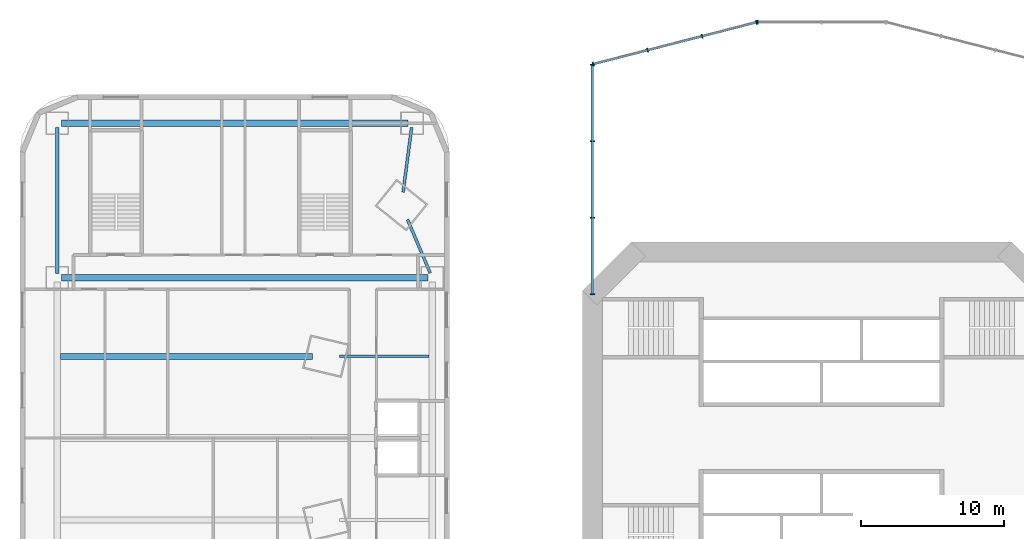
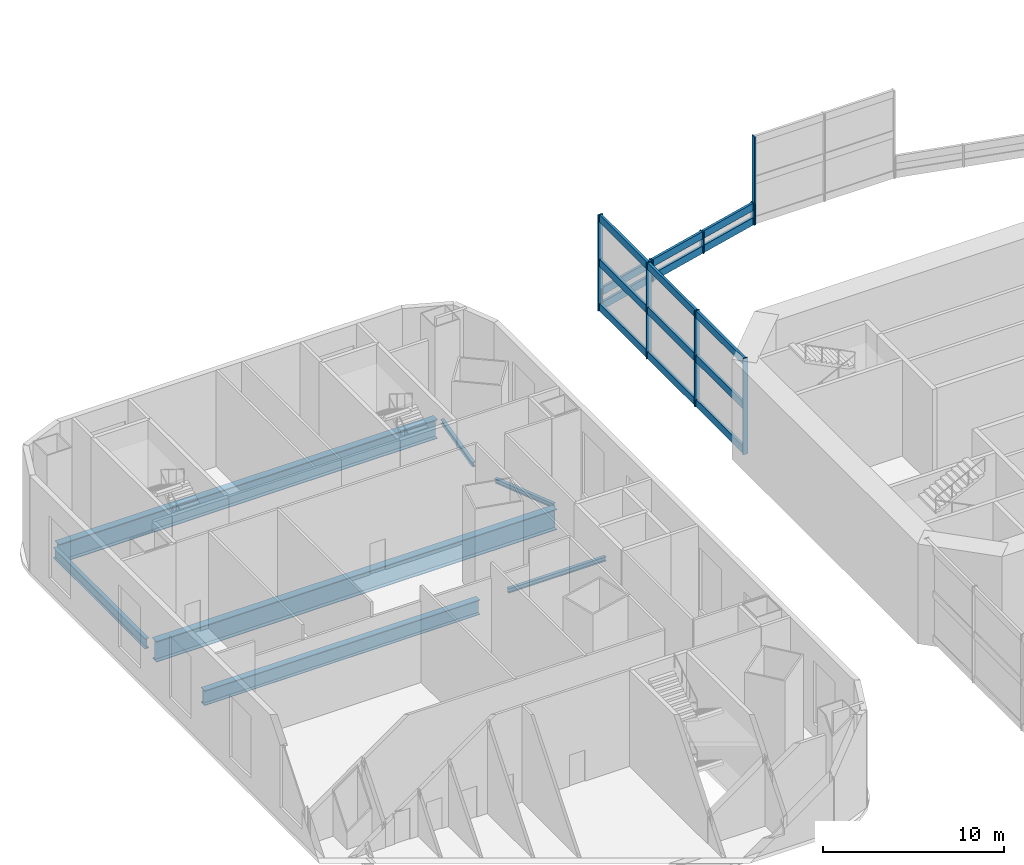
# One storey, part 3 of 19: 14 members, 7 beams, 3 elements without a shape of their own.
"""IFC4 building model written with IfcOpenShell, lengths in metres."""

from ifc_helpers import new_model, si_unit, direction, frame, origin, origin_2d, place, context, subcontext, project, spatial, rectangle, i_section, extrude, material, material_profile, profile_set, type_object, element, aggregate, save


model = new_model("IFC4")

# Units and contexts
model_context = context("Model", 3, precision=1e-05, world=origin(), true_north=direction((0.0, 1.0)))
body_context = subcontext(model_context, "Body", "Model", "MODEL_VIEW")
ifc_project = project(units=[si_unit("LENGTHUNIT", "METRE"), si_unit("AREAUNIT", "SQUARE_METRE"), si_unit("VOLUMEUNIT", "CUBIC_METRE"), si_unit("PLANEANGLEUNIT", "RADIAN"), si_unit("MASSUNIT", "GRAM", prefix="KILO")], contexts=[model_context])

# Site, building, storey
site_placement = place(None, origin())
site = spatial("IfcSite", under=ifc_project, at=site_placement, CompositionType="ELEMENT")
building_placement = place(site_placement, origin())
building = spatial("IfcBuilding", under=site, at=building_placement, Name="Marenthal Gate Tower", CompositionType="ELEMENT")
storey_placement = place(building_placement, frame((0.0, 0.0, 19.0)))
storey = spatial("IfcBuildingStorey", under=building, at=storey_placement, Name="L02", CompositionType="ELEMENT", Elevation=19.0)

# Curtain wall, members
ifc_material_1 = material(Name="Aluminium and glass", Category="aluminium")
curtain_wall_type = type_object("IfcCurtainWallType", Name="Curtain wall arch infill", PredefinedType="NOTDEFINED", material=ifc_material_1)
curtain_wall_1_placement = place(storey_placement, origin())
curtain_wall_1 = element("IfcCurtainWall", 1, at=curtain_wall_1_placement, inside=storey, type_object=curtain_wall_type, Name="Curtain wall L02 arch N1", PredefinedType="NOTDEFINED")
ifc_material_2 = material(Name="Aluminium", Category="aluminium")
ifc_material_profile_1 = material_profile(ifc_material_2, rectangle(XDim=0.300048828125, YDim=0.080078125, at=origin_2d()), Name="80x300 aluminium mullion")
ifc_profile_set_1 = profile_set([ifc_material_profile_1], Name="Aluminium")
member_type_1 = type_object("IfcMemberType", Name="Mullion 80x300 arch infill", PredefinedType="MULLION", material=ifc_profile_set_1)
member_1_placement = place(storey_placement, frame((-15.961181640625, 26.12744140625, 0.0), z_axis=(0.0, 0.0, 1.0), x_axis=(-0.247965362941, 0.968768898542, 0.0)))
member_1 = element("IfcMember", 2, at=member_1_placement, type_object=member_type_1, Name="Mullion L02 arch N1.1", PredefinedType="MULLION", context=body_context, shape_type="SweptSolid", body=[
    extrude(rectangle(XDim=0.300048828125, YDim=0.080078125, at=origin_2d()), origin(), (0.0, 0.0, 1.0), 1.47509765625),
])
member_2_placement = place(storey_placement, frame((-12.15380859375, 27.101806640625, 0.0), z_axis=(0.0, 0.0, 1.0), x_axis=(-0.247965362941, 0.968768898542, 0.0)))
member_2 = element("IfcMember", 3, at=member_2_placement, type_object=member_type_1, Name="Mullion L02 arch N1.2", PredefinedType="MULLION", context=body_context, shape_type="SweptSolid", body=[
    extrude(rectangle(XDim=0.300048828125, YDim=0.080078125, at=origin_2d()), origin(), (0.0, 0.0, 1.0), 1.47509765625),
])
member_3_placement = place(storey_placement, frame((-8.34619140625, 28.076416015625, 0.0), z_axis=(0.0, 0.0, 1.0), x_axis=(-0.247965362941, 0.968768898542, 0.0)))
member_3 = element("IfcMember", 4, at=member_3_placement, type_object=member_type_1, Name="Mullion L02 arch N1.3", PredefinedType="MULLION", context=body_context, shape_type="SweptSolid", body=[
    extrude(rectangle(XDim=0.300048828125, YDim=0.080078125, at=origin_2d()), origin(), (0.0, 0.0, 1.0), 1.47509765625),
])
member_4_placement = place(storey_placement, frame((-4.538818359375, 29.051025390625, 0.0), z_axis=(0.0, 0.0, 1.0), x_axis=(-0.247965362941, 0.968768898542, 0.0)))
member_4 = element("IfcMember", 5, at=member_4_placement, type_object=member_type_1, Name="Mullion L02 arch N1.4", PredefinedType="MULLION", context=body_context, shape_type="SweptSolid", body=[
    extrude(rectangle(XDim=0.300048828125, YDim=0.080078125, at=origin_2d()), origin(), (0.0, 0.0, 1.0), 1.47509765625),
])

# Curtain wall, member
curtain_wall_2_placement = place(storey_placement, origin())
curtain_wall_2 = element("IfcCurtainWall", 6, at=curtain_wall_2_placement, inside=storey, type_object=curtain_wall_type, Name="Curtain wall L02 arch N2", PredefinedType="NOTDEFINED")
member_5_placement = place(storey_placement, frame((-4.4599609375, 29.06103515625, 0.0), z_axis=(0.0, 0.0, 1.0), x_axis=(0.0, 1.0, 0.0)))
member_5 = element("IfcMember", 7, at=member_5_placement, type_object=member_type_1, Name="Mullion L02 arch N2.1", PredefinedType="MULLION", context=body_context, shape_type="SweptSolid", body=[
    extrude(rectangle(XDim=0.300048828125, YDim=0.080078125, at=origin_2d()), origin(), (0.0, 0.0, 1.0), 5.93994140625),
])
aggregate(curtain_wall_2, [member_5])

# Curtain wall, members
curtain_wall_3_placement = place(storey_placement, origin())
curtain_wall_3 = element("IfcCurtainWall", 8, at=curtain_wall_3_placement, inside=storey, type_object=curtain_wall_type, Name="Curtain wall L02 hall NW1", PredefinedType="NOTDEFINED")
member_6_placement = place(storey_placement, frame((-16.0, 10.0400390625, 0.0), z_axis=(0.0, 0.0, 1.0), x_axis=(-1.0, 0.0, 0.0)))
member_6 = element("IfcMember", 9, at=member_6_placement, type_object=member_type_1, Name="Mullion L02 hall NW1.1", PredefinedType="MULLION", context=body_context, shape_type="SweptSolid", body=[
    extrude(rectangle(XDim=0.300048828125, YDim=0.080078125, at=origin_2d()), origin(), (0.0, 0.0, 1.0), 6.5),
])
member_7_placement = place(storey_placement, frame((-16.0, 15.3857421875, 0.0), z_axis=(0.0, 0.0, 1.0), x_axis=(-1.0, 0.0, 0.0)))
member_7 = element("IfcMember", 10, at=member_7_placement, type_object=member_type_1, Name="Mullion L02 hall NW1.2", PredefinedType="MULLION", context=body_context, shape_type="SweptSolid", body=[
    extrude(rectangle(XDim=0.300048828125, YDim=0.080078125, at=origin_2d()), origin(), (0.0, 0.0, 1.0), 6.5),
])
member_8_placement = place(storey_placement, frame((-16.0, 20.731689453125, 0.0), z_axis=(0.0, 0.0, 1.0), x_axis=(-1.0, 0.0, 0.0)))
member_8 = element("IfcMember", 11, at=member_8_placement, type_object=member_type_1, Name="Mullion L02 hall NW1.3", PredefinedType="MULLION", context=body_context, shape_type="SweptSolid", body=[
    extrude(rectangle(XDim=0.300048828125, YDim=0.080078125, at=origin_2d()), origin(), (0.0, 0.0, 1.0), 6.5),
])
member_9_placement = place(storey_placement, frame((-16.0, 26.077392578125, 0.0), z_axis=(0.0, 0.0, 1.0), x_axis=(-1.0, 0.0, 0.0)))
member_9 = element("IfcMember", 12, at=member_9_placement, type_object=member_type_1, Name="Mullion L02 hall NW1.4", PredefinedType="MULLION", context=body_context, shape_type="SweptSolid", body=[
    extrude(rectangle(XDim=0.300048828125, YDim=0.080078125, at=origin_2d()), origin(), (0.0, 0.0, 1.0), 6.5),
])

# Beams
ifc_material_3 = material(Name="Steel S355", Category="steel")
ifc_material_profile_2 = material_profile(ifc_material_3, i_section(OverallWidth=0.419921875, OverallDepth=1.0, WebThickness=0.02001953125, FlangeThickness=0.035888671875, at=origin_2d()), Name="PLATE GIRDER 1000X420X20X36")
ifc_profile_set_2 = profile_set([ifc_material_profile_2], Name="Steel S355")
beam_type_1 = type_object("IfcBeamType", Name="PLATE GIRDER 1000X420X20X36 beam", PredefinedType="BEAM", material=ifc_profile_set_2)
beam_1_placement = place(storey_placement, frame((-35.561279296875, 5.716064453125, -0.75), z_axis=(-1.0, 0.0, 0.0), x_axis=(0.0, -1.0, 0.0)))
element("IfcBeam", 13, at=beam_1_placement, inside=storey, type_object=beam_type_1, Name="BM-L02-128", PredefinedType="BEAM", context=body_context, shape_type="SweptSolid", body=[
    extrude(i_section(OverallWidth=0.419921875, OverallDepth=1.0, WebThickness=0.02001953125, FlangeThickness=0.035888671875, at=origin_2d()), origin(), (0.0, 0.0, 1.0), 17.61376953125),
])
ifc_material_4 = material(Name="Steel S355", Category="steel")
ifc_material_profile_3 = material_profile(ifc_material_4, i_section(OverallWidth=0.4599609375, OverallDepth=1.300048828125, WebThickness=0.02490234375, FlangeThickness=0.044921875, at=origin_2d()), Name="PLATE GIRDER 1300X460X25X45")
ifc_profile_set_3 = profile_set([ifc_material_profile_3], Name="Steel S355")
beam_type_2 = type_object("IfcBeamType", Name="PLATE GIRDER 1300X460X25X45 beam", PredefinedType="BEAM", material=ifc_profile_set_3)
beam_2_placement = place(storey_placement, frame((-28.89990234375, 22.0, -0.89990234375), z_axis=(-1.0, 0.0, 0.0), x_axis=(0.0, -1.0, 0.0)))
element("IfcBeam", 14, at=beam_2_placement, inside=storey, type_object=beam_type_2, Name="BM-L02-130", PredefinedType="BEAM", context=body_context, shape_type="SweptSolid", body=[
    extrude(i_section(OverallWidth=0.4599609375, OverallDepth=1.300048828125, WebThickness=0.02490234375, FlangeThickness=0.044921875, at=origin_2d()), origin(), (0.0, 0.0, 1.0), 24.2001953125),
])
ifc_material_5 = material(Name="Steel S355", Category="steel")
ifc_material_profile_4 = material_profile(ifc_material_5, i_section(OverallWidth=0.47998046875, OverallDepth=1.39990234375, WebThickness=0.02490234375, FlangeThickness=0.044921875, at=origin_2d()), Name="PLATE GIRDER 1400X480X25X45")
ifc_profile_set_4 = profile_set([ifc_material_profile_4], Name="Steel S355")
beam_type_3 = type_object("IfcBeamType", Name="PLATE GIRDER 1400X480X25X45 beam", PredefinedType="BEAM", material=ifc_profile_set_4)
beam_3_placement = place(storey_placement, frame((-27.5, 11.199951171875, -0.949951171875), z_axis=(-1.0, 0.0, 0.0), x_axis=(0.0, -1.0, 0.0)))
element("IfcBeam", 15, at=beam_3_placement, inside=storey, type_object=beam_type_3, Name="BM-L02-129", PredefinedType="BEAM", context=body_context, shape_type="SweptSolid", body=[
    extrude(i_section(OverallWidth=0.47998046875, OverallDepth=1.39990234375, WebThickness=0.02490234375, FlangeThickness=0.044921875, at=origin_2d()), origin(), (0.0, 0.0, 1.0), 25.60009765625),
])

# Member
ifc_material_6 = material(Name="Aluminium", Category="aluminium")
ifc_material_profile_5 = material_profile(ifc_material_6, rectangle(XDim=0.159912109375, YDim=0.5, at=origin_2d()), Name="160x500 aluminium transom")
ifc_profile_set_5 = profile_set([ifc_material_profile_5], Name="Aluminium")
member_type_2 = type_object("IfcMemberType", Name="Transom 160x500 arch infill", PredefinedType="USERDEFINED", material=ifc_profile_set_5)
member_10_placement = place(storey_placement, frame((-15.922607421875, 26.13720703125, 0.25), z_axis=(0.968771034171, 0.247957019161, 0.0), x_axis=(-0.247957019161, 0.968771034171, 0.0)))
member_10 = element("IfcMember", 16, at=member_10_placement, type_object=member_type_2, Name="Transom L02 arch N1.1", ObjectType="TRANSOM", PredefinedType="USERDEFINED", context=body_context, shape_type="SweptSolid", body=[
    extrude(rectangle(XDim=0.159912109375, YDim=0.5, at=origin_2d()), origin(), (0.0, 0.0, 1.0), 11.7109375),
])

member_11_placement = place(storey_placement, frame((-15.922607421875, 26.13720703125, 1.22509765625), z_axis=(0.968771034171, 0.247957019161, 0.0), x_axis=(-0.247957019161, 0.968771034171, 0.0)))
member_11 = element("IfcMember", 17, at=member_11_placement, type_object=member_type_2, Name="Transom L02 arch N1.2", ObjectType="TRANSOM", PredefinedType="USERDEFINED", context=body_context, shape_type="SweptSolid", body=[
    extrude(rectangle(XDim=0.159912109375, YDim=0.5, at=origin_2d()), origin(), (0.0, 0.0, 1.0), 11.7109375),
])

aggregate(curtain_wall_1, [member_1, member_2, member_3, member_4, member_10, member_11])

member_12_placement = place(storey_placement, frame((-16.0, 10.080078125, 0.25), z_axis=(0.0, 1.0, 0.0), x_axis=(-1.0, 0.0, 0.0)))
member_12 = element("IfcMember", 18, at=member_12_placement, type_object=member_type_2, Name="Transom L02 hall NW1.1", ObjectType="TRANSOM", PredefinedType="USERDEFINED", context=body_context, shape_type="SweptSolid", body=[
    extrude(rectangle(XDim=0.159912109375, YDim=0.5, at=origin_2d()), origin(), (0.0, 0.0, 1.0), 15.957275390625),
])

member_13_placement = place(storey_placement, frame((-16.0, 10.080078125, 3.25), z_axis=(0.0, 1.0, 0.0), x_axis=(-1.0, 0.0, 0.0)))
member_13 = element("IfcMember", 19, at=member_13_placement, type_object=member_type_2, Name="Transom L02 hall NW1.2", ObjectType="TRANSOM", PredefinedType="USERDEFINED", context=body_context, shape_type="SweptSolid", body=[
    extrude(rectangle(XDim=0.159912109375, YDim=0.5, at=origin_2d()), origin(), (0.0, 0.0, 1.0), 15.957275390625),
])

member_14_placement = place(storey_placement, frame((-16.0, 10.080078125, 6.25), z_axis=(0.0, 1.0, 0.0), x_axis=(-1.0, 0.0, 0.0)))
member_14 = element("IfcMember", 20, at=member_14_placement, type_object=member_type_2, Name="Transom L02 hall NW1.3", ObjectType="TRANSOM", PredefinedType="USERDEFINED", context=body_context, shape_type="SweptSolid", body=[
    extrude(rectangle(XDim=0.159912109375, YDim=0.5, at=origin_2d()), origin(), (0.0, 0.0, 1.0), 15.957275390625),
])

aggregate(curtain_wall_3, [member_6, member_7, member_8, member_9, member_12, member_13, member_14])

# Beams
ifc_material_7 = material(Name="Steel S355", Category="steel")
ifc_material_profile_6 = material_profile(ifc_material_7, i_section(OverallWidth=0.202880859375, OverallDepth=0.302001953125, WebThickness=0.007568359375, FlangeThickness=0.01318359375, FilletRadius=0.0126953125, at=origin_2d()), Name="W310X60")
ifc_profile_set_6 = profile_set([ifc_material_profile_6], Name="Steel S355")
beam_type_4 = type_object("IfcBeamType", Name="W310X60 beam", PredefinedType="BEAM", material=ifc_profile_set_6)
beam_4_placement = place(storey_placement, frame((-27.425048828125, 5.716064453125, -0.40087890625), z_axis=(-1.0, 0.0, 0.0), x_axis=(0.0, -1.0, 0.0)))
element("IfcBeam", 21, at=beam_4_placement, inside=storey, type_object=beam_type_4, Name="BM-L02-127", PredefinedType="BEAM", context=body_context, shape_type="SweptSolid", body=[
    extrude(i_section(OverallWidth=0.202880859375, OverallDepth=0.302001953125, WebThickness=0.007568359375, FlangeThickness=0.01318359375, FilletRadius=0.0126953125, at=origin_2d()), origin(), (0.0, 0.0, 1.0), 6.2568359375),
])
beam_5_placement = place(storey_placement, frame((-27.34375, 11.53955078125, -0.40087890625), z_axis=(-0.390030578719, 0.920801904681, 0.0), x_axis=(-0.920801904681, -0.390030578719, 0.0)))
element("IfcBeam", 22, at=beam_5_placement, inside=storey, type_object=beam_type_4, Name="BM-L02-131", PredefinedType="BEAM", context=body_context, shape_type="SweptSolid", body=[
    extrude(i_section(OverallWidth=0.202880859375, OverallDepth=0.302001953125, WebThickness=0.007568359375, FlangeThickness=0.01318359375, FilletRadius=0.0126953125, at=origin_2d()), origin(), (0.0, 0.0, 1.0), 4.057373046875),
])
beam_6_placement = place(storey_placement, frame((-29.233154296875, 17.17578125, -0.40087890625), z_axis=(0.130135880417, 0.991496168741, 0.0), x_axis=(-0.991496168741, 0.130135880417, 0.0)))
element("IfcBeam", 23, at=beam_6_placement, inside=storey, type_object=beam_type_4, Name="BM-L02-132", PredefinedType="BEAM", context=body_context, shape_type="SweptSolid", body=[
    extrude(i_section(OverallWidth=0.202880859375, OverallDepth=0.302001953125, WebThickness=0.007568359375, FlangeThickness=0.01318359375, FilletRadius=0.0126953125, at=origin_2d()), origin(), (0.0, 0.0, 1.0), 4.558837890625),
])
ifc_material_8 = material(Name="Steel S355", Category="steel")
ifc_material_profile_7 = material_profile(ifc_material_8, i_section(OverallWidth=0.25390625, OverallDepth=0.68310546875, WebThickness=0.012451171875, FlangeThickness=0.018798828125, FilletRadius=0.01513671875, at=origin_2d()), Name="W690X140")
ifc_profile_set_7 = profile_set([ifc_material_profile_7], Name="Steel S355")
beam_type_5 = type_object("IfcBeamType", Name="W690X140 beam", PredefinedType="BEAM", material=ifc_profile_set_7)
beam_7_placement = place(storey_placement, frame((-53.39990234375, 11.5, -0.591552734375), z_axis=(0.0, 1.0, 0.0), x_axis=(-1.0, 0.0, 0.0)))
element("IfcBeam", 24, at=beam_7_placement, inside=storey, type_object=beam_type_5, Name="BM-L02-120", PredefinedType="BEAM", context=body_context, shape_type="SweptSolid", body=[
    extrude(i_section(OverallWidth=0.25390625, OverallDepth=0.68310546875, WebThickness=0.012451171875, FlangeThickness=0.018798828125, FilletRadius=0.01513671875, at=origin_2d()), origin(), (0.0, 0.0, 1.0), 10.199951171875),
])

save(model, "model.ifc")
